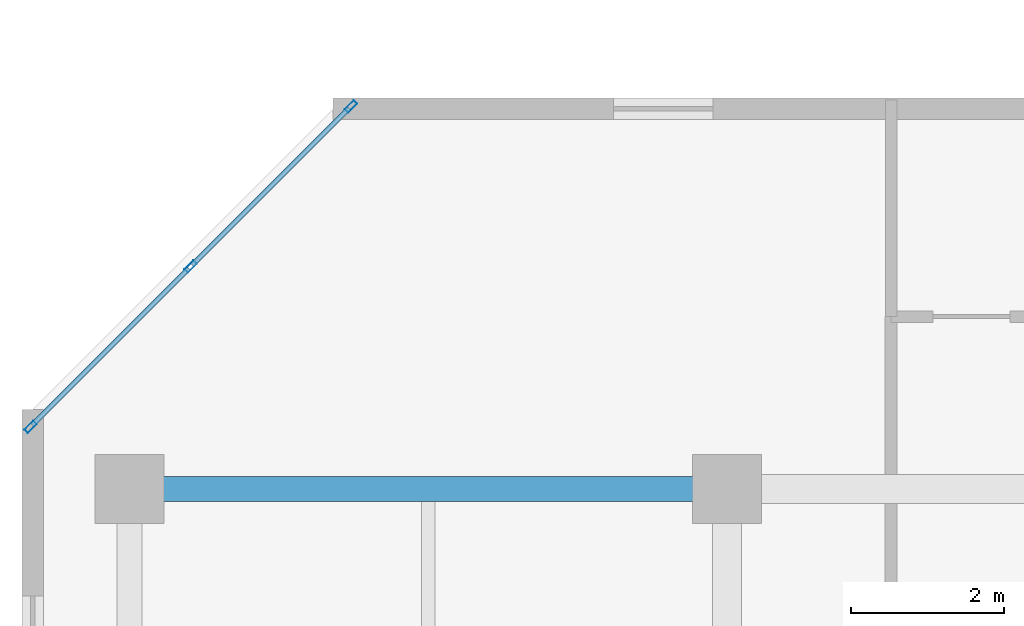
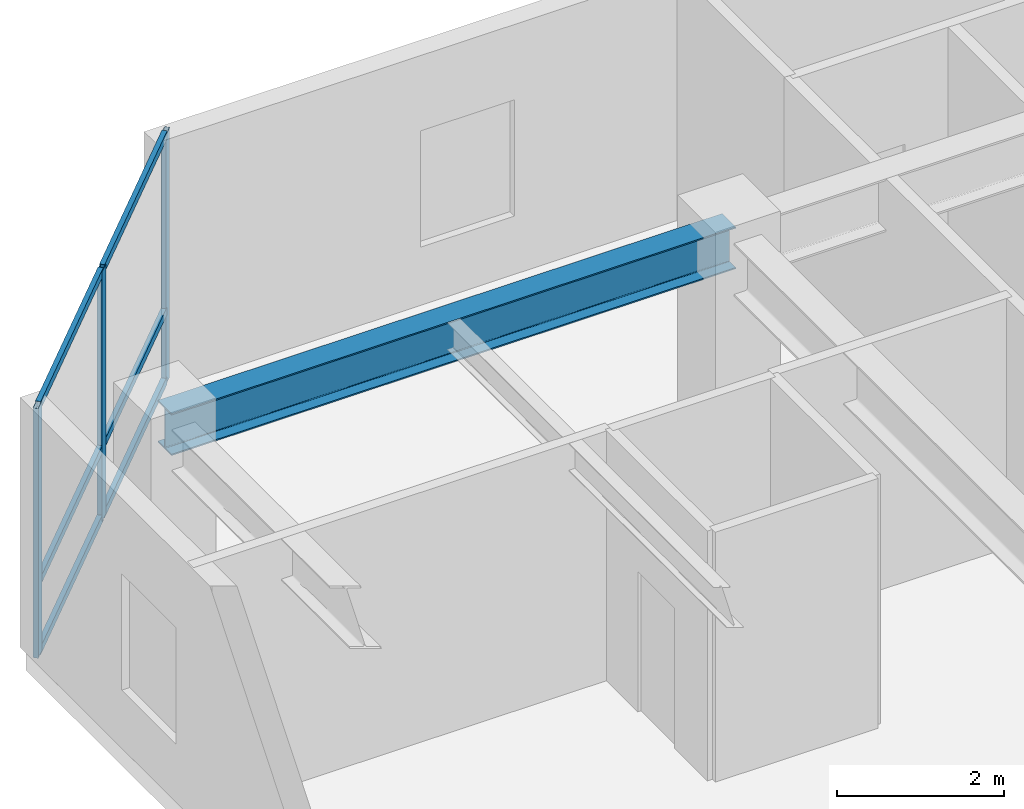
# One storey, part 2 of 11: 9 members, 1 beam, 1 element without a shape of its own.
"""IFC4 building model written with IfcOpenShell, lengths in metres."""

from ifc_helpers import new_model, si_unit, direction, frame, origin, origin_2d, place, context, subcontext, project, spatial, hollow_rectangle, i_section, extrude, material, layer, layer_set, material_profile, profile_set, type_object, element, aggregate, save


model = new_model("IFC4")

# Units and contexts
model_context = context("Model", 3, precision=1e-05, world=origin(), true_north=direction((0.0, 1.0)))
body_context = subcontext(model_context, "Body", "Model", "MODEL_VIEW")
ifc_project = project(units=[si_unit("LENGTHUNIT", "METRE"), si_unit("AREAUNIT", "SQUARE_METRE"), si_unit("VOLUMEUNIT", "CUBIC_METRE"), si_unit("PLANEANGLEUNIT", "RADIAN"), si_unit("MASSUNIT", "GRAM", prefix="KILO")], contexts=[model_context])

# Site, building, storey
site_placement = place(None, origin())
site = spatial("IfcSite", under=ifc_project, at=site_placement, CompositionType="ELEMENT")
building_placement = place(site_placement, origin())
building = spatial("IfcBuilding", under=site, at=building_placement, Name="Kestravale Grand Hotel", CompositionType="ELEMENT")
storey_placement = place(building_placement, frame((0.0, 0.0, 192.89990234375)))
storey = spatial("IfcBuildingStorey", under=building, at=storey_placement, Name="L48", CompositionType="ELEMENT", Elevation=192.89990234375)

# Beam
ifc_material_1 = material(Name="Steel ASTM A992 Grade 50", Category="steel")
ifc_material_profile_1 = material_profile(ifc_material_1, i_section(OverallWidth=0.324951171875, OverallDepth=0.612060546875, WebThickness=0.0126953125, FlangeThickness=0.01904296875, FilletRadius=0.018798828125, at=origin_2d()))
ifc_profile_set_1 = profile_set([ifc_material_profile_1], Name="Steel ASTM A992 Grade 50")
beam_type = type_object("IfcBeamType", Name="B-FLR-W24A", PredefinedType="SPANDREL", material=ifc_profile_set_1)
beam_placement = place(storey_placement, frame((7.800048828125, 38.39990234375, 3.343994140625), z_axis=(1.0, 0.0, 0.0), x_axis=(0.0, 1.0, 0.0)))
element("IfcBeam", 1, at=beam_placement, inside=storey, type_object=beam_type, Name="L48 spandrel F:2-3", PredefinedType="SPANDREL", context=body_context, shape_type="SweptSolid", body=[
    extrude(i_section(OverallWidth=0.324951171875, OverallDepth=0.612060546875, WebThickness=0.0126953125, FlangeThickness=0.01904296875, FilletRadius=0.018798828125, at=origin_2d()), origin(), (0.0, 0.0, 1.0), 7.800048828125),
])

# Curtain wall, members
ifc_material_2 = material(Name="Thermally broken champagne-bronze aluminium and low-E glazing", Category="aluminium")
ifc_layer = layer(ifc_material_2, 0.179931640625)
ifc_layer_set = layer_set([ifc_layer], Name="CW-Z3")
curtain_wall_type = type_object("IfcCurtainWallType", Name="CW-Z3", PredefinedType="NOTDEFINED", material=ifc_layer_set)
curtain_wall_placement = place(storey_placement, origin())
curtain_wall = element("IfcCurtainWall", 2, at=curtain_wall_placement, inside=storey, type_object=curtain_wall_type, Name="L48 unitised curtain wall 18", PredefinedType="NOTDEFINED")
ifc_material_3 = material(Name="Aluminium 6063-T6 anodised", Category="aluminium")
ifc_material_profile_2 = material_profile(ifc_material_3, hollow_rectangle(XDim=0.06494140625, YDim=0.1650390625, WallThickness=0.00341796875, at=origin_2d()))
ifc_profile_set_2 = profile_set([ifc_material_profile_2], Name="Aluminium 6063-T6 anodised")
member_type_1 = type_object("IfcMemberType", Name="CW-MUL-165", PredefinedType="MULLION", material=ifc_profile_set_2)
member_1_placement = place(storey_placement, frame((10.690185546875, 43.392333984375, 0.0), z_axis=(0.0, 0.0, 1.0), x_axis=(0.707106781187, -0.707106781187, 0.0)))
member_1 = element("IfcMember", 3, at=member_1_placement, type_object=member_type_1, Name="CW-Z3 mullion 1", PredefinedType="MULLION", context=body_context, shape_type="SweptSolid", body=[
    extrude(hollow_rectangle(XDim=0.06494140625, YDim=0.1650390625, WallThickness=0.00341796875, at=origin_2d()), origin(), (0.0, 0.0, 1.0), 3.650146484375),
])
member_2_placement = place(storey_placement, frame((8.59912109375, 41.301025390625, 0.0), z_axis=(0.0, 0.0, 1.0), x_axis=(0.707106781187, -0.707106781187, 0.0)))
member_2 = element("IfcMember", 4, at=member_2_placement, type_object=member_type_1, Name="CW-Z3 mullion 2", PredefinedType="MULLION", context=body_context, shape_type="SweptSolid", body=[
    extrude(hollow_rectangle(XDim=0.06494140625, YDim=0.1650390625, WallThickness=0.00341796875, at=origin_2d()), origin(), (0.0, 0.0, 1.0), 3.650146484375),
])
member_3_placement = place(storey_placement, frame((6.5078125, 39.209716796875, 0.0), z_axis=(0.0, 0.0, 1.0), x_axis=(0.707106781187, -0.707106781187, 0.0)))
member_3 = element("IfcMember", 5, at=member_3_placement, type_object=member_type_1, Name="CW-Z3 mullion 3", PredefinedType="MULLION", context=body_context, shape_type="SweptSolid", body=[
    extrude(hollow_rectangle(XDim=0.06494140625, YDim=0.1650390625, WallThickness=0.00341796875, at=origin_2d()), origin(), (0.0, 0.0, 1.0), 3.650146484375),
])
ifc_material_4 = material(Name="Aluminium 6063-T6 anodised", Category="aluminium")
ifc_material_profile_3 = material_profile(ifc_material_4, hollow_rectangle(XDim=0.06494140625, YDim=0.114990234375, WallThickness=0.003173828125, at=origin_2d()))
ifc_profile_set_3 = profile_set([ifc_material_profile_3], Name="Aluminium 6063-T6 anodised")
member_type_2 = type_object("IfcMemberType", Name="CW-TRN-115", PredefinedType="USERDEFINED", material=ifc_profile_set_3)
member_4_placement = place(storey_placement, frame((10.667236328125, 43.369140625, 0.03271484375), z_axis=(-0.707106781187, -0.707106781187, 0.0), x_axis=(0.707106781187, -0.707106781187, 0.0)))
member_4 = element("IfcMember", 6, at=member_4_placement, type_object=member_type_2, Name="CW-Z3 transom 1.1", ObjectType="TRANSOM", PredefinedType="USERDEFINED", context=body_context, shape_type="SweptSolid", body=[
    extrude(hollow_rectangle(XDim=0.06494140625, YDim=0.114990234375, WallThickness=0.003173828125, at=origin_2d()), origin(), (0.0, 0.0, 1.0), 2.892333984375),
])
member_5_placement = place(storey_placement, frame((10.667236328125, 43.369140625, 1.050048828125), z_axis=(-0.707106781187, -0.707106781187, 0.0), x_axis=(0.707106781187, -0.707106781187, 0.0)))
member_5 = element("IfcMember", 7, at=member_5_placement, type_object=member_type_2, Name="CW-Z3 transom 1.2", ObjectType="TRANSOM", PredefinedType="USERDEFINED", context=body_context, shape_type="SweptSolid", body=[
    extrude(hollow_rectangle(XDim=0.06494140625, YDim=0.114990234375, WallThickness=0.003173828125, at=origin_2d()), origin(), (0.0, 0.0, 1.0), 2.892333984375),
])
member_6_placement = place(storey_placement, frame((10.667236328125, 43.369140625, 3.61767578125), z_axis=(-0.707106781187, -0.707106781187, 0.0), x_axis=(0.707106781187, -0.707106781187, 0.0)))
member_6 = element("IfcMember", 8, at=member_6_placement, type_object=member_type_2, Name="CW-Z3 transom 1.3", ObjectType="TRANSOM", PredefinedType="USERDEFINED", context=body_context, shape_type="SweptSolid", body=[
    extrude(hollow_rectangle(XDim=0.06494140625, YDim=0.114990234375, WallThickness=0.003173828125, at=origin_2d()), origin(), (0.0, 0.0, 1.0), 2.892333984375),
])
member_7_placement = place(storey_placement, frame((8.575927734375, 41.278076171875, 0.03271484375), z_axis=(-0.707064577195, -0.707148982659, 0.0), x_axis=(0.707148982659, -0.707064577195, 0.0)))
member_7 = element("IfcMember", 9, at=member_7_placement, type_object=member_type_2, Name="CW-Z3 transom 2.1", ObjectType="TRANSOM", PredefinedType="USERDEFINED", context=body_context, shape_type="SweptSolid", body=[
    extrude(hollow_rectangle(XDim=0.06494140625, YDim=0.114990234375, WallThickness=0.003173828125, at=origin_2d()), origin(), (0.0, 0.0, 1.0), 2.892578125),
])
member_8_placement = place(storey_placement, frame((8.575927734375, 41.278076171875, 1.050048828125), z_axis=(-0.707064577195, -0.707148982659, 0.0), x_axis=(0.707148982659, -0.707064577195, 0.0)))
member_8 = element("IfcMember", 10, at=member_8_placement, type_object=member_type_2, Name="CW-Z3 transom 2.2", ObjectType="TRANSOM", PredefinedType="USERDEFINED", context=body_context, shape_type="SweptSolid", body=[
    extrude(hollow_rectangle(XDim=0.06494140625, YDim=0.114990234375, WallThickness=0.003173828125, at=origin_2d()), origin(), (0.0, 0.0, 1.0), 2.892578125),
])
member_9_placement = place(storey_placement, frame((8.575927734375, 41.278076171875, 3.61767578125), z_axis=(-0.707064577195, -0.707148982659, 0.0), x_axis=(0.707148982659, -0.707064577195, 0.0)))
member_9 = element("IfcMember", 11, at=member_9_placement, type_object=member_type_2, Name="CW-Z3 transom 2.3", ObjectType="TRANSOM", PredefinedType="USERDEFINED", context=body_context, shape_type="SweptSolid", body=[
    extrude(hollow_rectangle(XDim=0.06494140625, YDim=0.114990234375, WallThickness=0.003173828125, at=origin_2d()), origin(), (0.0, 0.0, 1.0), 2.892578125),
])
aggregate(curtain_wall, [member_1, member_2, member_3, member_4, member_5, member_6, member_7, member_8, member_9])

save(model, "model.ifc")
